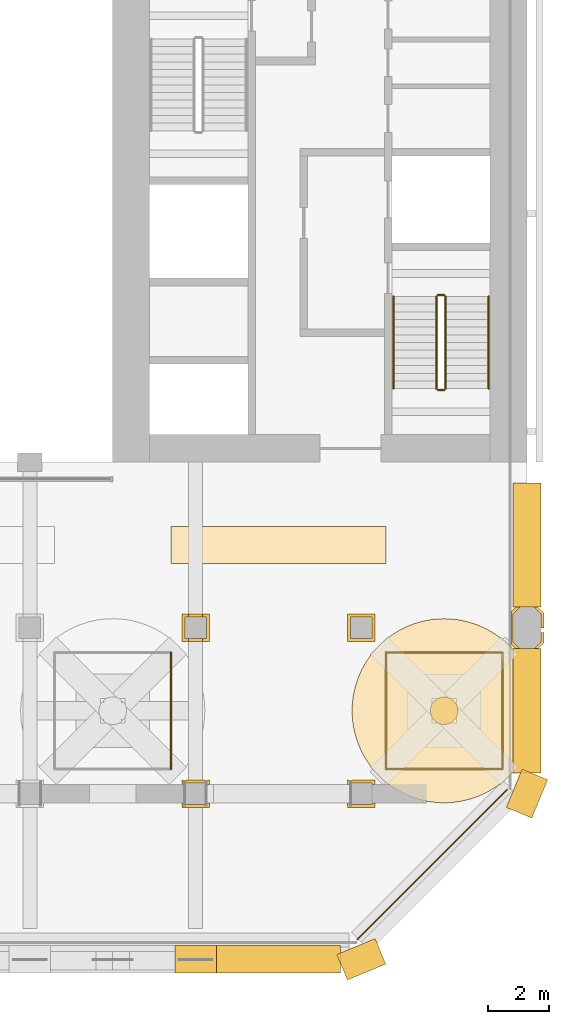
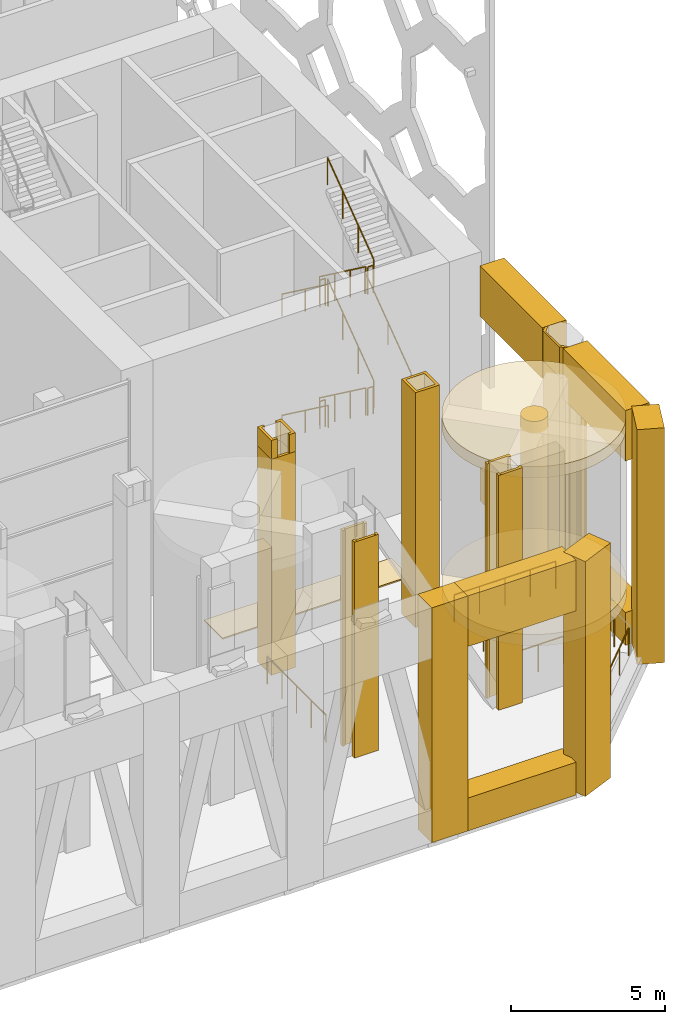
# One storey, part 24 of 28: 25 coverings, 17 railings.
"""IFC4 building model written with IfcOpenShell, lengths in metres."""

from ifc_helpers import new_model, si_unit, direction, frame, frame_2d, origin, origin_2d, place, context, subcontext, project, spatial, polyline, rectangle, circle, outline, extrude, material, layer, layer_set, material_profile, profile_set, type_object, element, save


model = new_model("IFC4")

# Units and contexts
model_context = context("Model", 3, precision=1e-05, world=origin(), true_north=direction((0.0, 1.0)))
body_context = subcontext(model_context, "Body", "Model", "MODEL_VIEW")
ifc_project = project(units=[si_unit("LENGTHUNIT", "METRE"), si_unit("AREAUNIT", "SQUARE_METRE"), si_unit("VOLUMEUNIT", "CUBIC_METRE"), si_unit("PLANEANGLEUNIT", "RADIAN"), si_unit("MASSUNIT", "GRAM", prefix="KILO")], contexts=[model_context])

# Site, building, storey
site_placement = place(None, origin())
site = spatial("IfcSite", under=ifc_project, at=site_placement, CompositionType="ELEMENT")
building_placement = place(site_placement, origin())
building = spatial("IfcBuilding", under=site, at=building_placement, Name="Tabaq Tower and Sports Hall", CompositionType="ELEMENT")
storey_placement = place(building_placement, frame((0.0, 0.0, 233.5)))
storey = spatial("IfcBuildingStorey", under=building, at=storey_placement, Name="L59", CompositionType="ELEMENT", Elevation=233.5)

# Coverings
ifc_material_1 = material(Name="Precast concrete C60/75", Category="concrete")
ifc_layer_1 = layer(ifc_material_1, 0.10009765625)
ifc_layer_set_1 = layer_set([ifc_layer_1], Name="Column cladding 100")
covering_type_1 = type_object("IfcCoveringType", Name="Column cladding 100", PredefinedType="CLADDING", material=ifc_layer_set_1)
covering_1_placement = place(storey_placement, origin())
element("IfcCovering", 1, at=covering_1_placement, inside=storey, type_object=covering_type_1, Name="Column cladding L59 CC-7B-S2", PredefinedType="CLADDING", context=body_context, shape_type="SweptSolid", body=[
    extrude(outline(polyline([(32.849609375, 4.9501953125), (31.9501953125, 4.9501953125), (31.9501953125, 5.099609375), (32.03466796875, 5.099609375), (32.03466796875, 4.999755859375), (32.065185546875, 4.999755859375), (32.065185546875, 5.0498046875), (32.734619140625, 5.0498046875), (32.734619140625, 4.999755859375), (32.765380859375, 4.999755859375), (32.765380859375, 5.099609375), (32.849609375, 5.099609375), (32.849609375, 4.9501953125)])), origin(), (0.0, 0.0, 1.0), 8.550048828125),
])
covering_2_placement = place(storey_placement, origin())
element("IfcCovering", 2, at=covering_2_placement, inside=storey, type_object=covering_type_1, Name="Column cladding L59 CC-7B-S2 2", PredefinedType="CLADDING", context=body_context, shape_type="SweptSolid", body=[
    extrude(outline(polyline([(32.849609375, 5.849609375), (32.849609375, 5.7001953125), (32.765380859375, 5.7001953125), (32.765380859375, 5.80029296875), (32.734619140625, 5.80029296875), (32.734619140625, 5.750244140625), (32.065185546875, 5.750244140625), (32.065185546875, 5.80029296875), (32.03466796875, 5.80029296875), (32.03466796875, 5.7001953125), (31.9501953125, 5.7001953125), (31.9501953125, 5.849609375), (32.849609375, 5.849609375)])), origin(), (0.0, 0.0, 1.0), 8.550048828125),
])
covering_3_placement = place(storey_placement, origin())
element("IfcCovering", 3, at=covering_3_placement, inside=storey, type_object=covering_type_1, Name="Column cladding L59 CC-7C-S2", PredefinedType="CLADDING", context=body_context, shape_type="SweptSolid", body=[
    extrude(outline(polyline([(31.9501953125, 11.249755859375), (32.849609375, 11.249755859375), (32.849609375, 10.350341796875), (31.9501953125, 10.350341796875), (31.9501953125, 11.249755859375)]), holes=[polyline([(32.750244140625, 10.44970703125), (32.750244140625, 11.150390625), (32.0498046875, 11.150390625), (32.0498046875, 10.44970703125), (32.750244140625, 10.44970703125)])]), origin(), (0.0, 0.0, 1.0), 8.550048828125),
])
covering_4_placement = place(storey_placement, frame((0.0, 0.0, 8.550048828125)))
element("IfcCovering", 4, at=covering_4_placement, inside=storey, type_object=covering_type_1, Name="Column cladding L59 CC-7C-S2 head", PredefinedType="CLADDING", context=body_context, shape_type="SweptSolid", body=[
    extrude(outline(polyline([(32.62548828125, 10.449462890625), (32.75048828125, 10.449462890625), (32.75048828125, 11.150634765625), (32.62548828125, 11.150634765625), (32.62548828125, 11.24951171875), (32.849365234375, 11.24951171875), (32.849365234375, 10.3505859375), (32.62548828125, 10.3505859375), (32.62548828125, 10.449462890625)])), origin(), (0.0, 0.0, 1.0), 0.75),
])
covering_5_placement = place(storey_placement, frame((0.0, 0.0, 8.550048828125)))
element("IfcCovering", 5, at=covering_5_placement, inside=storey, type_object=covering_type_1, Name="Column cladding L59 CC-7C-S2 head 2", PredefinedType="CLADDING", context=body_context, shape_type="SweptSolid", body=[
    extrude(outline(polyline([(32.17431640625, 10.449462890625), (32.17431640625, 10.3505859375), (31.95068359375, 10.3505859375), (31.95068359375, 11.24951171875), (32.17431640625, 11.24951171875), (32.17431640625, 11.150634765625), (32.04931640625, 11.150634765625), (32.04931640625, 10.449462890625), (32.17431640625, 10.449462890625)])), origin(), (0.0, 0.0, 1.0), 0.75),
])
covering_6_placement = place(storey_placement, origin())
element("IfcCovering", 6, at=covering_6_placement, inside=storey, type_object=covering_type_1, Name="Column cladding L59 CC-8B-S2", PredefinedType="CLADDING", context=body_context, shape_type="SweptSolid", body=[
    extrude(outline(polyline([(38.249755859375, 4.9501953125), (37.350341796875, 4.9501953125), (37.350341796875, 5.099609375), (37.434814453125, 5.099609375), (37.434814453125, 4.999755859375), (37.46533203125, 4.999755859375), (37.46533203125, 5.0498046875), (38.150390625, 5.0498046875), (38.150390625, 5.099609375), (38.249755859375, 5.099609375), (38.249755859375, 4.9501953125)])), origin(), (0.0, 0.0, 1.0), 9.300048828125),
])
covering_7_placement = place(storey_placement, origin())
element("IfcCovering", 7, at=covering_7_placement, inside=storey, type_object=covering_type_1, Name="Column cladding L59 CC-8B-S2 2", PredefinedType="CLADDING", context=body_context, shape_type="SweptSolid", body=[
    extrude(outline(polyline([(38.249755859375, 5.849609375), (38.249755859375, 5.7001953125), (38.150390625, 5.7001953125), (38.150390625, 5.750244140625), (37.46533203125, 5.750244140625), (37.46533203125, 5.80029296875), (37.434814453125, 5.80029296875), (37.434814453125, 5.7001953125), (37.350341796875, 5.7001953125), (37.350341796875, 5.849609375), (38.249755859375, 5.849609375)])), origin(), (0.0, 0.0, 1.0), 9.300048828125),
])
covering_8_placement = place(storey_placement, origin())
element("IfcCovering", 8, at=covering_8_placement, inside=storey, type_object=covering_type_1, Name="Column cladding L59 CC-8C-S2", PredefinedType="CLADDING", context=body_context, shape_type="SweptSolid", body=[
    extrude(outline(polyline([(37.350341796875, 11.249755859375), (38.249755859375, 11.249755859375), (38.249755859375, 10.350341796875), (37.350341796875, 10.350341796875), (37.350341796875, 11.249755859375)]), holes=[polyline([(38.150390625, 10.44970703125), (38.150390625, 11.150390625), (37.44970703125, 11.150390625), (37.44970703125, 10.44970703125), (38.150390625, 10.44970703125)])]), origin(), (0.0, 0.0, 1.0), 9.300048828125),
])
covering_9_placement = place(storey_placement, origin())
element("IfcCovering", 9, at=covering_9_placement, inside=storey, type_object=covering_type_1, Name="Column cladding L59 PC-9C-S2", PredefinedType="CLADDING", context=body_context, shape_type="SweptSolid", body=[
    extrude(outline(polyline([(42.690185546875, 10.268798828125), (42.690185546875, 11.331298828125), (42.833740234375, 11.474609375), (42.974365234375, 11.474609375), (42.749755859375, 11.250244140625), (42.749755859375, 10.349853515625), (42.974365234375, 10.125244140625), (42.833740234375, 10.125244140625), (42.690185546875, 10.268798828125)])), origin(), (0.0, 0.0, 1.0), 8.10009765625),
])
covering_10_placement = place(storey_placement, origin())
element("IfcCovering", 10, at=covering_10_placement, inside=storey, type_object=covering_type_1, Name="Column cladding L59 PC-9C-S2 2", PredefinedType="CLADDING", context=body_context, shape_type="SweptSolid", body=[
    extrude(outline(polyline([(43.749755859375, 11.291259765625), (43.749755859375, 10.80029296875), (43.650390625, 10.80029296875), (43.650390625, 11.250244140625), (43.42578125, 11.474609375), (43.56640625, 11.474609375), (43.749755859375, 11.291259765625)])), origin(), (0.0, 0.0, 1.0), 8.10009765625),
])
covering_11_placement = place(storey_placement, origin())
element("IfcCovering", 11, at=covering_11_placement, inside=storey, type_object=covering_type_1, Name="Column cladding L59 PC-9C-S2 3", PredefinedType="CLADDING", context=body_context, shape_type="SweptSolid", body=[
    extrude(outline(polyline([(43.749755859375, 10.30859375), (43.56640625, 10.125244140625), (43.42578125, 10.125244140625), (43.650390625, 10.349853515625), (43.650390625, 10.649658203125), (43.749755859375, 10.64453125), (43.749755859375, 10.30859375)])), origin(), (0.0, 0.0, 1.0), 8.10009765625),
])
covering_12_placement = place(storey_placement, frame((0.0, 0.0, 8.10009765625)))
element("IfcCovering", 12, at=covering_12_placement, inside=storey, type_object=covering_type_1, Name="Column cladding L59 PC-9C-S2 head", PredefinedType="CLADDING", context=body_context, shape_type="SweptSolid", body=[
    extrude(outline(polyline([(42.690185546875, 11.331298828125), (42.833740234375, 11.474609375), (42.974365234375, 11.474609375), (42.749755859375, 11.250244140625), (42.749755859375, 10.349853515625), (42.974365234375, 10.125244140625), (42.833740234375, 10.125244140625), (42.690185546875, 10.268798828125), (42.690185546875, 11.331298828125)])), origin(), (0.0, 0.0, 1.0), 1.199951171875),
])

# Railings
ifc_material_2 = material(Name="Stainless steel S316 and laminated glass", Category="steel")
railing_type_1 = type_object("IfcRailingType", Name="Guard 1100 steel and glass", PredefinedType="GUARDRAIL", material=ifc_material_2)
railing_1_placement = place(storey_placement, frame((37.671142578125, 0.64892578125, 0.0)))
element("IfcRailing", 13, at=railing_1_placement, inside=storey, type_object=railing_type_1, Name="Guard L59 SE", PredefinedType="GUARDRAIL", context=body_context, shape_type="SweptSolid", body=[
    extrude(circle(Radius=0.02490234375, at=origin_2d()), frame((0.0, 0.0, 1.0751953125), z_axis=(0.707106781187, 0.707106781187, 0.0), x_axis=(-0.707106781187, 0.707106781187, 0.0)), (0.0, 0.0, 1.0), 6.901123046875),
    extrude(circle(Radius=0.02001953125, at=origin_2d()), origin(), (0.0, 0.0, 1.0), 1.050048828125),
    extrude(circle(Radius=0.02001953125, at=origin_2d()), frame((0.813232421875, 0.813232421875, 0.0)), (0.0, 0.0, 1.0), 1.050048828125),
    extrude(circle(Radius=0.02001953125, at=origin_2d()), frame((1.626708984375, 1.626708984375, 0.0)), (0.0, 0.0, 1.0), 1.050048828125),
    extrude(circle(Radius=0.02001953125, at=origin_2d()), frame((2.43994140625, 2.43994140625, 0.0)), (0.0, 0.0, 1.0), 1.050048828125),
    extrude(circle(Radius=0.02001953125, at=origin_2d()), frame((3.253173828125, 3.253173828125, 0.0)), (0.0, 0.0, 1.0), 1.050048828125),
    extrude(circle(Radius=0.02001953125, at=origin_2d()), frame((4.066650390625, 4.066650390625, 0.0)), (0.0, 0.0, 1.0), 1.050048828125),
    extrude(circle(Radius=0.02001953125, at=origin_2d()), frame((4.8798828125, 4.8798828125, 0.0)), (0.0, 0.0, 1.0), 1.050048828125),
])
railing_2_placement = place(storey_placement, frame((31.60009765625, 6.199951171875, 0.0)))
element("IfcRailing", 14, at=railing_2_placement, inside=storey, type_object=railing_type_1, Name="Turbine guard 3", PredefinedType="GUARDRAIL", context=body_context, shape_type="SweptSolid", body=[
    extrude(circle(Radius=0.02490234375, at=origin_2d()), frame((0.0, 0.0, 1.0751953125), z_axis=(0.0, 1.0, 0.0), x_axis=(-1.0, 0.0, 0.0)), (0.0, 0.0, 1.0), 3.800048828125),
    extrude(circle(Radius=0.02001953125, at=origin_2d()), origin(), (0.0, 0.0, 1.0), 1.050048828125),
    extrude(circle(Radius=0.02001953125, at=origin_2d()), frame((0.0, 0.949951171875, 0.0)), (0.0, 0.0, 1.0), 1.050048828125),
    extrude(circle(Radius=0.02001953125, at=origin_2d()), frame((0.0, 1.89990234375, 0.0)), (0.0, 0.0, 1.0), 1.050048828125),
    extrude(circle(Radius=0.02001953125, at=origin_2d()), frame((0.0, 2.85009765625, 0.0)), (0.0, 0.0, 1.0), 1.050048828125),
    extrude(circle(Radius=0.02001953125, at=origin_2d()), frame((0.0, 3.800048828125, 0.0)), (0.0, 0.0, 1.0), 1.050048828125),
])
railing_3_placement = place(storey_placement, frame((38.60009765625, 6.199951171875, 0.0)))
element("IfcRailing", 15, at=railing_3_placement, inside=storey, type_object=railing_type_1, Name="Turbine guard 4", PredefinedType="GUARDRAIL", context=body_context, shape_type="SweptSolid", body=[
    extrude(circle(Radius=0.02490234375, at=origin_2d()), frame((0.0, 0.0, 1.0751953125), z_axis=(1.0, 0.0, 0.0), x_axis=(0.0, 1.0, 0.0)), (0.0, 0.0, 1.0), 3.7998046875),
    extrude(circle(Radius=0.02001953125, at=origin_2d()), origin(), (0.0, 0.0, 1.0), 1.050048828125),
    extrude(circle(Radius=0.02001953125, at=origin_2d()), frame((0.949951171875, 0.0, 0.0)), (0.0, 0.0, 1.0), 1.050048828125),
    extrude(circle(Radius=0.02001953125, at=origin_2d()), frame((1.89990234375, 0.0, 0.0)), (0.0, 0.0, 1.0), 1.050048828125),
    extrude(circle(Radius=0.02001953125, at=origin_2d()), frame((2.849853515625, 0.0, 0.0)), (0.0, 0.0, 1.0), 1.050048828125),
    extrude(circle(Radius=0.02001953125, at=origin_2d()), frame((3.7998046875, 0.0, 0.0)), (0.0, 0.0, 1.0), 1.050048828125),
])
railing_4_placement = place(storey_placement, frame((42.39990234375, 6.199951171875, 0.0)))
element("IfcRailing", 16, at=railing_4_placement, inside=storey, type_object=railing_type_1, Name="Turbine guard 4", PredefinedType="GUARDRAIL", context=body_context, shape_type="SweptSolid", body=[
    extrude(circle(Radius=0.02490234375, at=origin_2d()), frame((0.0, 0.0, 1.0751953125), z_axis=(0.0, 1.0, 0.0), x_axis=(-1.0, 0.0, 0.0)), (0.0, 0.0, 1.0), 3.800048828125),
    extrude(circle(Radius=0.02001953125, at=origin_2d()), origin(), (0.0, 0.0, 1.0), 1.050048828125),
    extrude(circle(Radius=0.02001953125, at=origin_2d()), frame((0.0, 0.949951171875, 0.0)), (0.0, 0.0, 1.0), 1.050048828125),
    extrude(circle(Radius=0.02001953125, at=origin_2d()), frame((0.0, 1.89990234375, 0.0)), (0.0, 0.0, 1.0), 1.050048828125),
    extrude(circle(Radius=0.02001953125, at=origin_2d()), frame((0.0, 2.85009765625, 0.0)), (0.0, 0.0, 1.0), 1.050048828125),
    extrude(circle(Radius=0.02001953125, at=origin_2d()), frame((0.0, 3.800048828125, 0.0)), (0.0, 0.0, 1.0), 1.050048828125),
])
railing_5_placement = place(storey_placement, frame((42.39990234375, 10.0, 0.0)))
element("IfcRailing", 17, at=railing_5_placement, inside=storey, type_object=railing_type_1, Name="Turbine guard 4", PredefinedType="GUARDRAIL", context=body_context, shape_type="SweptSolid", body=[
    extrude(circle(Radius=0.02490234375, at=origin_2d()), frame((0.0, 0.0, 1.0751953125), z_axis=(-1.0, 0.0, 0.0), x_axis=(0.0, -1.0, 0.0)), (0.0, 0.0, 1.0), 3.7998046875),
    extrude(circle(Radius=0.02001953125, at=origin_2d()), origin(), (0.0, 0.0, 1.0), 1.050048828125),
    extrude(circle(Radius=0.02001953125, at=origin_2d()), frame((-0.949951171875, 0.0, 0.0)), (0.0, 0.0, 1.0), 1.050048828125),
    extrude(circle(Radius=0.02001953125, at=origin_2d()), frame((-1.89990234375, 0.0, 0.0)), (0.0, 0.0, 1.0), 1.050048828125),
    extrude(circle(Radius=0.02001953125, at=origin_2d()), frame((-2.849853515625, 0.0, 0.0)), (0.0, 0.0, 1.0), 1.050048828125),
    extrude(circle(Radius=0.02001953125, at=origin_2d()), frame((-3.7998046875, 0.0, 0.0)), (0.0, 0.0, 1.0), 1.050048828125),
])
railing_6_placement = place(storey_placement, frame((38.60009765625, 10.0, 0.0)))
element("IfcRailing", 18, at=railing_6_placement, inside=storey, type_object=railing_type_1, Name="Turbine guard 4", PredefinedType="GUARDRAIL", context=body_context, shape_type="SweptSolid", body=[
    extrude(circle(Radius=0.02490234375, at=origin_2d()), frame((0.0, 0.0, 1.0751953125), z_axis=(0.0, -1.0, 0.0), x_axis=(1.0, 0.0, 0.0)), (0.0, 0.0, 1.0), 3.800048828125),
    extrude(circle(Radius=0.02001953125, at=origin_2d()), origin(), (0.0, 0.0, 1.0), 1.050048828125),
    extrude(circle(Radius=0.02001953125, at=origin_2d()), frame((0.0, -0.949951171875, 0.0)), (0.0, 0.0, 1.0), 1.050048828125),
    extrude(circle(Radius=0.02001953125, at=origin_2d()), frame((0.0, -1.89990234375, 0.0)), (0.0, 0.0, 1.0), 1.050048828125),
    extrude(circle(Radius=0.02001953125, at=origin_2d()), frame((0.0, -2.85009765625, 0.0)), (0.0, 0.0, 1.0), 1.050048828125),
    extrude(circle(Radius=0.02001953125, at=origin_2d()), frame((0.0, -3.800048828125, 0.0)), (0.0, 0.0, 1.0), 1.050048828125),
])

# Coverings
ifc_material_3 = material(Name="White precast concrete C60/75", Category="concrete")
covering_type_2 = type_object("IfcCoveringType", Name="Pier cladding hung 1350x900", PredefinedType="CLADDING", material=ifc_material_3)
covering_13_placement = place(storey_placement, frame((31.72509765625, 0.0, 0.0), z_axis=(0.0, 0.0, 1.0), x_axis=(1.0, 0.0, 0.0)))
element("IfcCovering", 19, at=covering_13_placement, inside=storey, type_object=covering_type_2, Name="Hung pier cladding 6/0", PredefinedType="CLADDING", context=body_context, shape_type="SweptSolid", body=[
    extrude(rectangle(XDim=1.349853515625, YDim=0.89990234375, at=frame_2d((0.6748046875, 0.0))), origin(), (0.0, 0.0, 1.0), 9.300048828125),
])
for number, where, z_axis, x_axis, name in (
    (20, (37.17626953125, -0.25830078125, 0.0), (0.0, 0.0, 1.0), (0.923893411637, 0.382649923473, 0.0), "Hung pier cladding 7/0"),
    (21, (42.941650390625, 4.7763671875, 0.0), (0.0, 0.0, 1.0), (0.382649923473, 0.923893411637, 0.0), "Hung pier cladding 8/1"),
):
    element("IfcCovering", number, at=place(storey_placement, frame(where, z_axis=z_axis, x_axis=x_axis)), inside=storey, type_object=covering_type_2, Name=name, PredefinedType="CLADDING", context=body_context, shape_type="SweptSolid", body=[
        extrude(rectangle(XDim=1.35009765625, YDim=0.89990234375, at=frame_2d((0.675048828125, 0.0))), origin(), (0.0, 0.0, 1.0), 9.300048828125),
    ])
ifc_material_4 = material(Name="White precast concrete C60/75", Category="concrete")
covering_type_3 = type_object("IfcCoveringType", Name="Slot frame cladding 1000", PredefinedType="CLADDING", material=ifc_material_4)
covering_14_placement = place(storey_placement, frame((35.10009765625, 0.0, 7.300048828125), z_axis=(0.0, 0.0, 1.0), x_axis=(1.0, 0.0, 0.0)))
element("IfcCovering", 22, at=covering_14_placement, inside=storey, type_object=covering_type_3, Name="Slot frame cladding head", PredefinedType="CLADDING", context=body_context, shape_type="SweptSolid", body=[
    extrude(rectangle(XDim=4.050048828125, YDim=0.89990234375, at=origin_2d()), origin(), (0.0, 0.0, 1.0), 2.0),
])
covering_15_placement = place(storey_placement, frame((35.10009765625, 0.0, 0.0), z_axis=(0.0, 0.0, 1.0), x_axis=(1.0, 0.0, 0.0)))
element("IfcCovering", 23, at=covering_15_placement, inside=storey, type_object=covering_type_3, Name="Slot frame cladding sill", PredefinedType="CLADDING", context=body_context, shape_type="SweptSolid", body=[
    extrude(rectangle(XDim=4.050048828125, YDim=0.89990234375, at=origin_2d()), origin(), (0.0, 0.0, 1.0), 1.300048828125),
])
covering_16_placement = place(storey_placement, frame((43.199951171875, 8.10009765625, 7.300048828125), z_axis=(0.0, 0.0, 1.0), x_axis=(0.0, 1.0, 0.0)))
element("IfcCovering", 24, at=covering_16_placement, inside=storey, type_object=covering_type_3, Name="Slot frame cladding head", PredefinedType="CLADDING", context=body_context, shape_type="SweptSolid", body=[
    extrude(rectangle(XDim=4.050048828125, YDim=0.89990234375, at=origin_2d()), origin(), (0.0, 0.0, 1.0), 2.0),
])
covering_17_placement = place(storey_placement, frame((43.199951171875, 8.10009765625, 0.0), z_axis=(0.0, 0.0, 1.0), x_axis=(0.0, 1.0, 0.0)))
element("IfcCovering", 25, at=covering_17_placement, inside=storey, type_object=covering_type_3, Name="Slot frame cladding sill", PredefinedType="CLADDING", context=body_context, shape_type="SweptSolid", body=[
    extrude(rectangle(XDim=4.050048828125, YDim=0.89990234375, at=origin_2d()), origin(), (0.0, 0.0, 1.0), 1.300048828125),
])
covering_18_placement = place(storey_placement, frame((43.199951171875, 13.5, 7.300048828125), z_axis=(0.0, 0.0, 1.0), x_axis=(0.0, 1.0, 0.0)))
element("IfcCovering", 26, at=covering_18_placement, inside=storey, type_object=covering_type_3, Name="Slot frame cladding head", PredefinedType="CLADDING", context=body_context, shape_type="SweptSolid", body=[
    extrude(rectangle(XDim=4.050048828125, YDim=0.89990234375, at=origin_2d()), origin(), (0.0, 0.0, 1.0), 2.0),
])
covering_19_placement = place(storey_placement, frame((43.199951171875, 13.5, 0.0), z_axis=(0.0, 0.0, 1.0), x_axis=(0.0, 1.0, 0.0)))
element("IfcCovering", 27, at=covering_19_placement, inside=storey, type_object=covering_type_3, Name="Slot frame cladding sill", PredefinedType="CLADDING", context=body_context, shape_type="SweptSolid", body=[
    extrude(rectangle(XDim=4.050048828125, YDim=0.89990234375, at=origin_2d()), origin(), (0.0, 0.0, 1.0), 1.300048828125),
])

# Railings
ifc_material_5 = material(Name="Stainless steel", Category="steel")
railing_type_2 = type_object("IfcRailingType", Name="Stair guard", PredefinedType="GUARDRAIL", material=ifc_material_5)
railing_7_placement = place(storey_placement, frame((40.25, 21.60009765625, 0.1845703125)))
element("IfcRailing", 28, at=railing_7_placement, inside=storey, type_object=railing_type_2, Name="L59 ST3 stair guard 1", PredefinedType="GUARDRAIL", context=body_context, shape_type="SweptSolid", body=[
    extrude(circle(Radius=0.02392578125, at=origin_2d()), frame((0.0, 0.0, 1.076171875), z_axis=(0.0, -0.804440004972, 0.594033903411), x_axis=(1.0, 0.0, 0.0)), (0.0, 0.0, 1.0), 3.729248046875),
    extrude(circle(Radius=0.02099609375, at=origin_2d()), origin(), (0.0, 0.0, 1.0), 1.052001953125),
    extrude(circle(Radius=0.02099609375, at=origin_2d()), frame((0.0, -1.0, 0.738525390625)), (0.0, 0.0, 1.0), 1.052001953125),
    extrude(circle(Radius=0.02099609375, at=origin_2d()), frame((0.0, -2.0, 1.476806640625)), (0.0, 0.0, 1.0), 1.052001953125),
    extrude(circle(Radius=0.02099609375, at=origin_2d()), frame((0.0, -3.0, 2.21533203125)), (0.0, 0.0, 1.0), 1.052001953125),
])
railing_8_placement = place(storey_placement, frame((40.300048828125, 18.550048828125, 2.39990234375)))
element("IfcRailing", 29, at=railing_8_placement, inside=storey, type_object=railing_type_2, Name="L59 ST3 stair guard 2", PredefinedType="GUARDRAIL", context=body_context, shape_type="SweptSolid", body=[
    extrude(circle(Radius=0.02392578125, at=origin_2d()), frame((0.0, 0.0, 1.076171875), z_axis=(1.0, 0.0, 0.0), x_axis=(0.0, 1.0, 0.0)), (0.0, 0.0, 1.0), 0.199951171875),
    extrude(circle(Radius=0.02099609375, at=origin_2d()), origin(), (0.0, 0.0, 1.0), 1.052001953125),
    extrude(circle(Radius=0.02099609375, at=origin_2d()), frame((0.199951171875, 0.0, 0.0)), (0.0, 0.0, 1.0), 1.052001953125),
])
railing_9_placement = place(storey_placement, frame((40.550048828125, 18.60009765625, 2.584716796875)))
element("IfcRailing", 30, at=railing_9_placement, inside=storey, type_object=railing_type_2, Name="L59 ST3 stair guard 3", PredefinedType="GUARDRAIL", context=body_context, shape_type="SweptSolid", body=[
    extrude(circle(Radius=0.02392578125, at=origin_2d()), frame((0.0, 0.0, 1.076171875), z_axis=(0.0, 0.804440004972, 0.594033903411), x_axis=(-1.0, 0.0, 0.0)), (0.0, 0.0, 1.0), 3.729248046875),
    extrude(circle(Radius=0.02099609375, at=origin_2d()), origin(), (0.0, 0.0, 1.0), 1.052001953125),
    extrude(circle(Radius=0.02099609375, at=origin_2d()), frame((0.0, 1.0, 0.738525390625)), (0.0, 0.0, 1.0), 1.052001953125),
    extrude(circle(Radius=0.02099609375, at=origin_2d()), frame((0.0, 2.0, 1.476806640625)), (0.0, 0.0, 1.0), 1.052001953125),
    extrude(circle(Radius=0.02099609375, at=origin_2d()), frame((0.0, 3.0, 2.21533203125)), (0.0, 0.0, 1.0), 1.052001953125),
])
railing_10_placement = place(storey_placement, frame((40.300048828125, 21.64990234375, 4.800048828125)))
element("IfcRailing", 31, at=railing_10_placement, inside=storey, type_object=railing_type_2, Name="L59 ST3 stair guard 4", PredefinedType="GUARDRAIL", context=body_context, shape_type="SweptSolid", body=[
    extrude(circle(Radius=0.02392578125, at=origin_2d()), frame((0.0, 0.0, 1.076171875), z_axis=(1.0, 0.0, 0.0), x_axis=(0.0, 1.0, 0.0)), (0.0, 0.0, 1.0), 0.199951171875),
    extrude(circle(Radius=0.02099609375, at=origin_2d()), origin(), (0.0, 0.0, 1.0), 1.052001953125),
    extrude(circle(Radius=0.02099609375, at=origin_2d()), frame((0.199951171875, 0.0, 0.0)), (0.0, 0.0, 1.0), 1.052001953125),
])
railing_11_placement = place(storey_placement, frame((40.25, 21.60009765625, 4.984619140625)))
element("IfcRailing", 32, at=railing_11_placement, inside=storey, type_object=railing_type_2, Name="L59 ST3 stair guard 5", PredefinedType="GUARDRAIL", context=body_context, shape_type="SweptSolid", body=[
    extrude(circle(Radius=0.02392578125, at=origin_2d()), frame((0.0, 0.0, 1.076171875), z_axis=(0.0, -0.804440004972, 0.594033903411), x_axis=(1.0, 0.0, 0.0)), (0.0, 0.0, 1.0), 3.729248046875),
    extrude(circle(Radius=0.02099609375, at=origin_2d()), origin(), (0.0, 0.0, 1.0), 1.052001953125),
    extrude(circle(Radius=0.02099609375, at=origin_2d()), frame((0.0, -1.0, 0.738525390625)), (0.0, 0.0, 1.0), 1.052001953125),
    extrude(circle(Radius=0.02099609375, at=origin_2d()), frame((0.0, -2.0, 1.476806640625)), (0.0, 0.0, 1.0), 1.052001953125),
    extrude(circle(Radius=0.02099609375, at=origin_2d()), frame((0.0, -3.0, 2.21533203125)), (0.0, 0.0, 1.0), 1.052001953125),
])
railing_12_placement = place(storey_placement, frame((40.300048828125, 18.550048828125, 7.199951171875)))
element("IfcRailing", 33, at=railing_12_placement, inside=storey, type_object=railing_type_2, Name="L59 ST3 stair guard 6", PredefinedType="GUARDRAIL", context=body_context, shape_type="SweptSolid", body=[
    extrude(circle(Radius=0.02392578125, at=origin_2d()), frame((0.0, 0.0, 1.076171875), z_axis=(1.0, 0.0, 0.0), x_axis=(0.0, 1.0, 0.0)), (0.0, 0.0, 1.0), 0.199951171875),
    extrude(circle(Radius=0.02099609375, at=origin_2d()), origin(), (0.0, 0.0, 1.0), 1.052001953125),
    extrude(circle(Radius=0.02099609375, at=origin_2d()), frame((0.199951171875, 0.0, 0.0)), (0.0, 0.0, 1.0), 1.052001953125),
])
railing_13_placement = place(storey_placement, frame((40.550048828125, 18.60009765625, 7.384521484375)))
element("IfcRailing", 34, at=railing_13_placement, inside=storey, type_object=railing_type_2, Name="L59 ST3 stair guard 7", PredefinedType="GUARDRAIL", context=body_context, shape_type="SweptSolid", body=[
    extrude(circle(Radius=0.02392578125, at=origin_2d()), frame((0.0, 0.0, 1.076171875), z_axis=(0.0, 0.804408721428, 0.594076265214), x_axis=(-1.0, 0.0, 0.0)), (0.0, 0.0, 1.0), 3.7294921875),
    extrude(circle(Radius=0.02099609375, at=origin_2d()), origin(), (0.0, 0.0, 1.0), 1.052001953125),
    extrude(circle(Radius=0.02099609375, at=origin_2d()), frame((0.0, 1.0, 0.738525390625)), (0.0, 0.0, 1.0), 1.052001953125),
    extrude(circle(Radius=0.02099609375, at=origin_2d()), frame((0.0, 2.0, 1.47705078125)), (0.0, 0.0, 1.0), 1.052001953125),
    extrude(circle(Radius=0.02099609375, at=origin_2d()), frame((0.0, 3.0, 2.215576171875)), (0.0, 0.0, 1.0), 1.052001953125),
])
railing_14_placement = place(storey_placement, frame((40.300048828125, 21.64990234375, 0.0)))
element("IfcRailing", 35, at=railing_14_placement, inside=storey, type_object=railing_type_2, Name="L59 ST3 stair guard 8", PredefinedType="GUARDRAIL", context=body_context, shape_type="SweptSolid", body=[
    extrude(circle(Radius=0.02392578125, at=origin_2d()), frame((0.0, 0.0, 1.076171875), z_axis=(1.0, 0.0, 0.0), x_axis=(0.0, 1.0, 0.0)), (0.0, 0.0, 1.0), 0.199951171875),
    extrude(circle(Radius=0.02099609375, at=origin_2d()), origin(), (0.0, 0.0, 1.0), 1.052001953125),
    extrude(circle(Radius=0.02099609375, at=origin_2d()), frame((0.199951171875, 0.0, 0.0)), (0.0, 0.0, 1.0), 1.052001953125),
])
ifc_material_6 = material(Name="Stainless steel", Category="steel")
railing_type_3 = type_object("IfcRailingType", Name="Stair handrail", PredefinedType="HANDRAIL", material=ifc_material_6)
railing_15_placement = place(storey_placement, frame((38.85009765625, 21.60009765625, 0.1845703125)))
element("IfcRailing", 36, at=railing_15_placement, inside=storey, type_object=railing_type_3, Name="L59 ST3 stair handrail 1", PredefinedType="HANDRAIL", context=body_context, shape_type="SweptSolid", body=[
    extrude(circle(Radius=0.02392578125, at=origin_2d()), frame((0.0, 0.0, 0.8759765625), z_axis=(0.0, -0.804440004972, 0.594033903411), x_axis=(1.0, 0.0, 0.0)), (0.0, 0.0, 1.0), 3.729248046875),
    extrude(circle(Radius=0.02099609375, at=origin_2d()), origin(), (0.0, 0.0, 1.0), 0.851806640625),
    extrude(circle(Radius=0.02099609375, at=origin_2d()), frame((0.0, -1.5, 1.107666015625)), (0.0, 0.0, 1.0), 0.851806640625),
    extrude(circle(Radius=0.02099609375, at=origin_2d()), frame((0.0, -3.0, 2.21533203125)), (0.0, 0.0, 1.0), 0.851806640625),
])
railing_16_placement = place(storey_placement, frame((41.949951171875, 18.60009765625, 2.584716796875)))
element("IfcRailing", 37, at=railing_16_placement, inside=storey, type_object=railing_type_3, Name="L59 ST3 stair handrail 2", PredefinedType="HANDRAIL", context=body_context, shape_type="SweptSolid", body=[
    extrude(circle(Radius=0.02392578125, at=origin_2d()), frame((0.0, 0.0, 0.8759765625), z_axis=(0.0, 0.804440004972, 0.594033903411), x_axis=(-1.0, 0.0, 0.0)), (0.0, 0.0, 1.0), 3.729248046875),
    extrude(circle(Radius=0.02099609375, at=origin_2d()), origin(), (0.0, 0.0, 1.0), 0.851806640625),
    extrude(circle(Radius=0.02099609375, at=origin_2d()), frame((0.0, 1.5, 1.107666015625)), (0.0, 0.0, 1.0), 0.851806640625),
    extrude(circle(Radius=0.02099609375, at=origin_2d()), frame((0.0, 3.0, 2.21533203125)), (0.0, 0.0, 1.0), 0.851806640625),
])
railing_17_placement = place(storey_placement, frame((38.85009765625, 21.60009765625, 4.984619140625)))
element("IfcRailing", 38, at=railing_17_placement, inside=storey, type_object=railing_type_3, Name="L59 ST3 stair handrail 3", PredefinedType="HANDRAIL", context=body_context, shape_type="SweptSolid", body=[
    extrude(circle(Radius=0.02392578125, at=origin_2d()), frame((0.0, 0.0, 0.8759765625), z_axis=(0.0, -0.804440004972, 0.594033903411), x_axis=(1.0, 0.0, 0.0)), (0.0, 0.0, 1.0), 3.729248046875),
    extrude(circle(Radius=0.02099609375, at=origin_2d()), origin(), (0.0, 0.0, 1.0), 0.851806640625),
    extrude(circle(Radius=0.02099609375, at=origin_2d()), frame((0.0, -1.5, 1.107666015625)), (0.0, 0.0, 1.0), 0.851806640625),
    extrude(circle(Radius=0.02099609375, at=origin_2d()), frame((0.0, -3.0, 2.21533203125)), (0.0, 0.0, 1.0), 0.851806640625),
])

# Coverings
ifc_material_7 = material(Name="Galvanised steel grating", Category="steel")
ifc_layer_2 = layer(ifc_material_7, 0.050048828125)
ifc_layer_set_2 = layer_set([ifc_layer_2], Name="Walkway grating WG1")
covering_type_4 = type_object("IfcCoveringType", Name="Walkway grating WG1", PredefinedType="FLOORING", material=ifc_layer_set_2)
covering_20_placement = place(storey_placement, frame((35.10009765625, 13.5, 0.0), z_axis=(0.0, 0.0, 1.0), x_axis=(1.0, 0.0, 0.0)))
element("IfcCovering", 39, at=covering_20_placement, inside=storey, type_object=covering_type_4, Name="Maintenance walkway", PredefinedType="FLOORING", context=body_context, shape_type="SweptSolid", body=[
    extrude(rectangle(XDim=7.0, YDim=1.199951171875, at=origin_2d()), origin(), (0.0, 0.0, 1.0), 0.050048828125),
])
ifc_material_8 = material(Name="Galvanised steel tube", Category="steel")
ifc_material_profile_1 = material_profile(ifc_material_8, circle(Radius=0.449951171875, at=origin_2d()), Name="Wind turbine mast 900 steel tube")
ifc_profile_set_1 = profile_set([ifc_material_profile_1], Name="Galvanised steel tube")
covering_type_5 = type_object("IfcCoveringType", Name="Wind turbine mast 900 steel tube", PredefinedType="USERDEFINED", material=ifc_profile_set_1)
covering_21_placement = place(storey_placement, frame((40.5, 8.10009765625, 8.739990234375), z_axis=(0.0, 0.0, -1.0), x_axis=(1.0, 0.0, 0.0)))
element("IfcCovering", 40, at=covering_21_placement, inside=storey, type_object=covering_type_5, Name="Wind turbine 4 mast", ObjectType="WIND TURBINE", PredefinedType="USERDEFINED", context=body_context, shape_type="SweptSolid", body=[
    extrude(circle(Radius=0.449951171875, at=origin_2d()), origin(), (0.0, 0.0, 1.0), 7.10009765625),
])
ifc_material_9 = material(Name="Aluminium alloy 6063-T6 ring plate", Category="aluminium")
ifc_material_profile_2 = material_profile(ifc_material_9, circle(Radius=3.0, at=origin_2d()), Name="Wind turbine ring 6000x450")
ifc_profile_set_2 = profile_set([ifc_material_profile_2], Name="Aluminium alloy 6063-T6 ring plate")
covering_type_6 = type_object("IfcCoveringType", Name="Wind turbine ring 6000x450", PredefinedType="USERDEFINED", material=ifc_profile_set_2)
for number, where, z_axis, x_axis, name in (
    (41, (40.5, 8.10009765625, 2.090087890625), (0.0, 0.0, -1.0), (1.0, 0.0, 0.0), "Wind turbine 4 base ring"),
    (42, (40.5, 8.10009765625, 8.739990234375), (0.0, 0.0, -1.0), (1.0, 0.0, 0.0), "Wind turbine 4 top ring"),
):
    element("IfcCovering", number, at=place(storey_placement, frame(where, z_axis=z_axis, x_axis=x_axis)), inside=storey, type_object=covering_type_6, Name=name, ObjectType="WIND TURBINE", PredefinedType="USERDEFINED", context=body_context, shape_type="SweptSolid", body=[
        extrude(circle(Radius=3.0, at=origin_2d()), origin(), (0.0, 0.0, 1.0), 0.449951171875),
    ])

save(model, "model.ifc")
